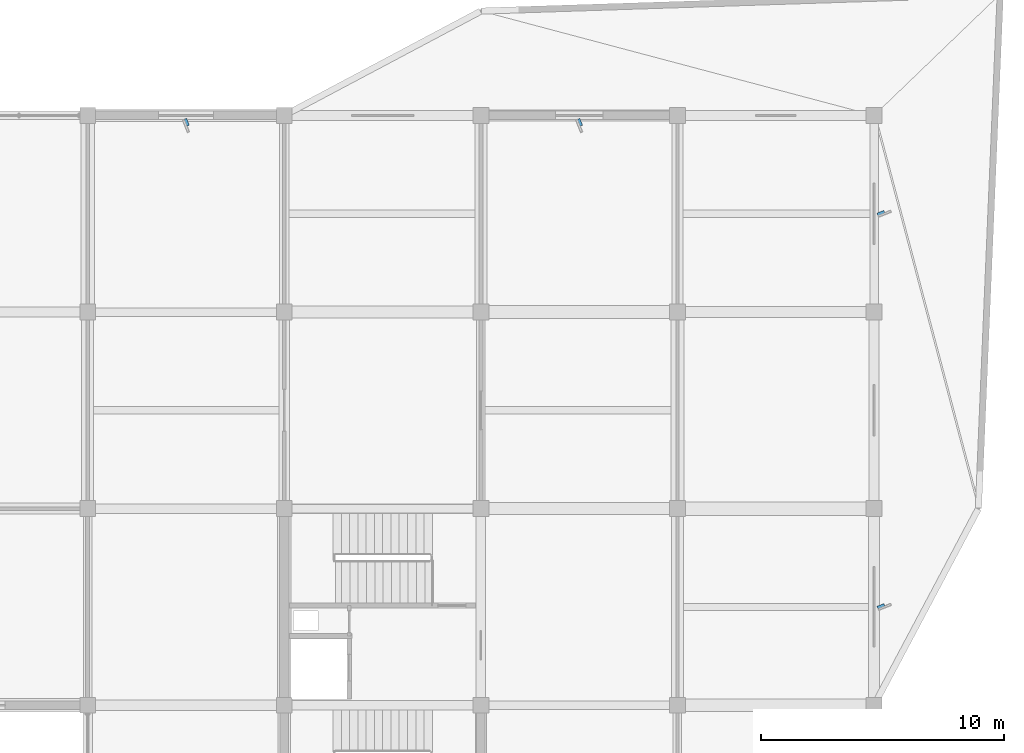
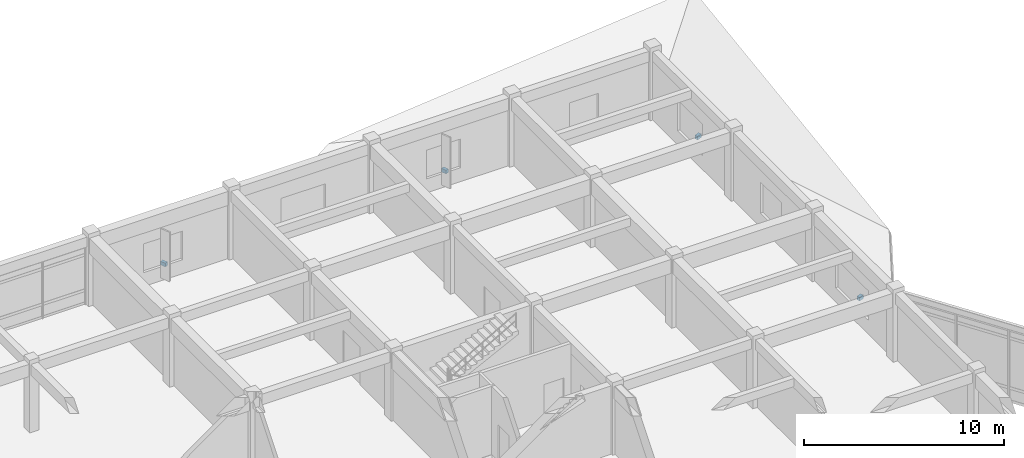
# One storey, part 36 of 40: 4 discrete accessories.
"""IFC4 building model written with IfcOpenShell, lengths in metres."""

from ifc_helpers import new_model, si_unit, direction, frame, origin, origin_2d, place, context, subcontext, project, spatial, rectangle, extrude, material, type_object, element, save


model = new_model("IFC4")

# Units and contexts
model_context = context("Model", 3, precision=1e-05, world=origin(), true_north=direction((0.0, 1.0)))
body_context = subcontext(model_context, "Body", "Model", "MODEL_VIEW")
ifc_project = project(units=[si_unit("LENGTHUNIT", "METRE"), si_unit("AREAUNIT", "SQUARE_METRE"), si_unit("VOLUMEUNIT", "CUBIC_METRE"), si_unit("PLANEANGLEUNIT", "RADIAN"), si_unit("MASSUNIT", "GRAM", prefix="KILO")], contexts=[model_context])

# Site, building, storey
site_placement = place(None, origin())
site = spatial("IfcSite", under=ifc_project, at=site_placement, CompositionType="ELEMENT")
building_placement = place(site_placement, origin())
building = spatial("IfcBuilding", under=site, at=building_placement, Name="Vaudrelin Polytechnic", CompositionType="ELEMENT")
storey_placement = place(building_placement, frame((0.0, 0.0, 22.949951171875)))
storey = spatial("IfcBuildingStorey", under=building, at=storey_placement, Name="L05", CompositionType="ELEMENT", Elevation=22.949951171875)

# Discrete accessories
ifc_material = material(Name="Galvanised steel CSA G40.21 350W", Category="steel")
discrete_accessory_type = type_object("IfcDiscreteAccessoryType", Name="ENV-BRK-01", PredefinedType="BRACKET", material=ifc_material)
for number, where, z_axis, x_axis, name in (
    (1, (141.75, 121.205078125, 0.990234375), (0.0, 0.0, 1.0), (0.374606593416, -0.927183854567, 0.0), "Solar fin support bracket BRK-040"),
    (2, (157.949951171875, 121.205078125, 0.990234375), (0.0, 0.0, 1.0), (0.374606593416, -0.927183854567, 0.0), "Solar fin support bracket BRK-041"),
    (3, (170.39501953125, 101.25, 0.990234375), (0.0, 0.0, 1.0), (0.927183854567, 0.374606593416, 0.0), "Solar fin support bracket BRK-045"),
    (4, (170.39501953125, 117.449951171875, 0.990234375), (0.0, 0.0, 1.0), (0.927183854567, 0.374606593416, 0.0), "Solar fin support bracket BRK-046"),
):
    element("IfcDiscreteAccessory", number, at=place(storey_placement, frame(where, z_axis=z_axis, x_axis=x_axis)), inside=storey, type_object=discrete_accessory_type, Name=name, PredefinedType="BRACKET", context=body_context, shape_type="SweptSolid", body=[
        extrude(rectangle(XDim=0.300048828125, YDim=0.179931640625, at=origin_2d()), origin(), (0.0, 0.0, 1.0), 0.219970703125),
    ])

save(model, "model.ifc")
